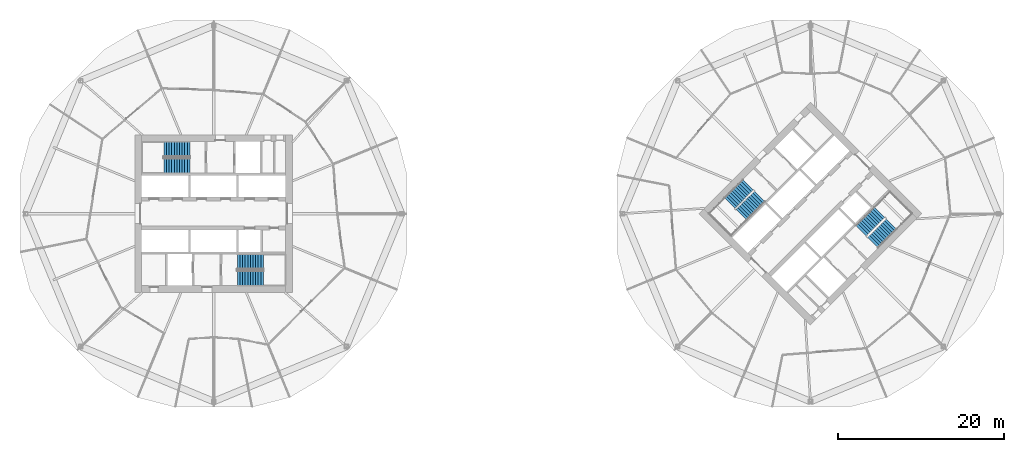
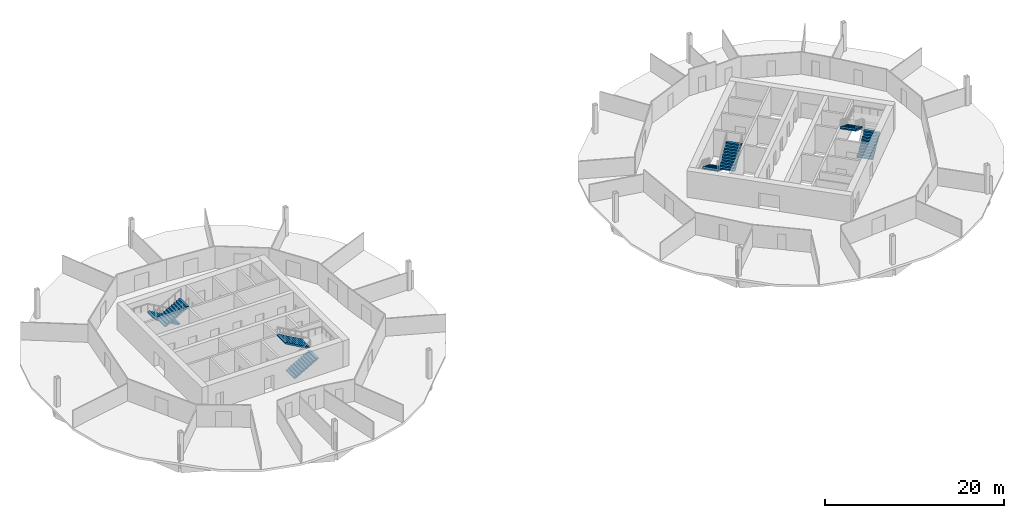
# One storey, part 8 of 9: 8 stair flights, 4 elements without a shape of their own.
"""IFC4 building model written with IfcOpenShell, lengths in metres."""

from ifc_helpers import new_model, si_unit, direction, frame, origin, place, context, subcontext, project, spatial, polyline, outline, extrude, material, type_object, element, aggregate, save


model = new_model("IFC4")

# Units and contexts
model_context = context("Model", 3, precision=1e-05, world=origin(), true_north=direction((0.0, 1.0)))
body_context = subcontext(model_context, "Body", "Model", "MODEL_VIEW")
ifc_project = project(units=[si_unit("LENGTHUNIT", "METRE"), si_unit("AREAUNIT", "SQUARE_METRE"), si_unit("VOLUMEUNIT", "CUBIC_METRE"), si_unit("PLANEANGLEUNIT", "RADIAN"), si_unit("MASSUNIT", "GRAM", prefix="KILO")], contexts=[model_context])

# Site, building, storey
site_placement = place(None, origin())
site = spatial("IfcSite", under=ifc_project, at=site_placement, CompositionType="ELEMENT")
building_placement = place(site_placement, origin())
building = spatial("IfcBuilding", under=site, at=building_placement, Name="Ogive Gate Towers", CompositionType="ELEMENT")
storey_placement = place(building_placement, frame((0.0, 0.0, 84.0)))
storey = spatial("IfcBuildingStorey", under=building, at=storey_placement, Name="L19", CompositionType="ELEMENT", Elevation=84.0)

# Stair, stair flights
ifc_material = material(Name="Concrete C40/50", Category="concrete")
stair_type = type_object("IfcStairType", Name="Escape stair 1840 wide", PredefinedType="HALF_TURN_STAIR", material=ifc_material)
stair_1_placement = place(storey_placement, origin())
stair_1 = element("IfcStair", 1, at=stair_1_placement, inside=storey, type_object=stair_type, Name="L19 Escape stair 1", PredefinedType="HALF_TURN_STAIR")
stair_flight_type = type_object("IfcStairFlightType", Name="Stair flight 1840 wide", PredefinedType="STRAIGHT", material=ifc_material)
stair_flight_1_placement = place(storey_placement, frame((-38.864990234375, 7.780029296875, 0.0), z_axis=(0.0, 0.0, 1.0), x_axis=(-1.0, 0.0, 0.0)))
stair_flight_1 = element("IfcStairFlight", 2, at=stair_flight_1_placement, type_object=stair_flight_type, Name="ST1 flight 1", NumberOfRisers=11, NumberOfTreads=10, PredefinedType="STRAIGHT", RiserHeight=0.177272727, TreadLength=0.313636364, context=body_context, shape_type="SweptSolid", body=[
    extrude(outline(polyline([(0.0, 0.0), (0.0, 0.17724609375), (0.313720703125, 0.17724609375), (0.313720703125, 0.3544921875), (0.627197265625, 0.3544921875), (0.627197265625, 0.53173828125), (0.94091796875, 0.53173828125), (0.94091796875, 0.708984375), (1.254638671875, 0.708984375), (1.254638671875, 0.886474609375), (1.568115234375, 0.886474609375), (1.568115234375, 1.063720703125), (1.8818359375, 1.063720703125), (1.8818359375, 1.240966796875), (2.195556640625, 1.240966796875), (2.195556640625, 1.418212890625), (2.509033203125, 1.418212890625), (2.509033203125, 1.595458984375), (2.82275390625, 1.595458984375), (2.82275390625, 1.772705078125), (3.136474609375, 1.772705078125), (3.136474609375, 1.949951171875), (3.136474609375, 1.6005859375), (0.3046875, 0.0), (0.0, 0.0)])), frame((0.0, 0.919921875, 0.0), z_axis=(0.0, -1.0, 0.0), x_axis=(1.0, 0.0, 0.0)), (0.0, 0.0, 1.0), 1.840087890625),
])
stair_flight_2_placement = place(storey_placement, frame((-42.00146484375, 5.794921875, 1.949951171875), z_axis=(0.0, 0.0, 1.0), x_axis=(1.0, 0.0, 0.0)))
stair_flight_2 = element("IfcStairFlight", 3, at=stair_flight_2_placement, type_object=stair_flight_type, Name="ST1 flight 2", NumberOfRisers=11, NumberOfTreads=10, PredefinedType="STRAIGHT", RiserHeight=0.177272727, TreadLength=0.313636364, context=body_context, shape_type="SweptSolid", body=[
    extrude(outline(polyline([(0.0, 0.0), (0.0, 0.17724609375), (0.313720703125, 0.17724609375), (0.313720703125, 0.3544921875), (0.627197265625, 0.3544921875), (0.627197265625, 0.53173828125), (0.94091796875, 0.53173828125), (0.94091796875, 0.708984375), (1.254638671875, 0.708984375), (1.254638671875, 0.886474609375), (1.568115234375, 0.886474609375), (1.568115234375, 1.063720703125), (1.8818359375, 1.063720703125), (1.8818359375, 1.240966796875), (2.195556640625, 1.240966796875), (2.195556640625, 1.418212890625), (2.509033203125, 1.418212890625), (2.509033203125, 1.595458984375), (2.82275390625, 1.595458984375), (2.82275390625, 1.772705078125), (3.136474609375, 1.772705078125), (3.136474609375, 1.949951171875), (3.136474609375, 1.6005859375), (0.3046875, 0.0), (0.0, 0.0)])), frame((0.0, 0.919921875, 0.0), z_axis=(0.0, -1.0, 0.0), x_axis=(1.0, 0.0, 0.0)), (0.0, 0.0, 1.0), 1.840087890625),
])
aggregate(stair_1, [stair_flight_1, stair_flight_2])

stair_2_placement = place(storey_placement, origin())
stair_2 = element("IfcStair", 4, at=stair_2_placement, inside=storey, type_object=stair_type, Name="L19 Escape stair 2", PredefinedType="HALF_TURN_STAIR")
stair_flight_3_placement = place(storey_placement, frame((-33.135009765625, -7.780029296875, 0.0), z_axis=(0.0, 0.0, 1.0), x_axis=(1.0, 0.0, 0.0)))
stair_flight_3 = element("IfcStairFlight", 5, at=stair_flight_3_placement, type_object=stair_flight_type, Name="ST2 flight 1", NumberOfRisers=11, NumberOfTreads=10, PredefinedType="STRAIGHT", RiserHeight=0.177272727, TreadLength=0.313636364, context=body_context, shape_type="SweptSolid", body=[
    extrude(outline(polyline([(0.0, 0.0), (0.0, 0.17724609375), (0.313720703125, 0.17724609375), (0.313720703125, 0.3544921875), (0.627197265625, 0.3544921875), (0.627197265625, 0.53173828125), (0.94091796875, 0.53173828125), (0.94091796875, 0.708984375), (1.254638671875, 0.708984375), (1.254638671875, 0.886474609375), (1.568115234375, 0.886474609375), (1.568115234375, 1.063720703125), (1.8818359375, 1.063720703125), (1.8818359375, 1.240966796875), (2.195556640625, 1.240966796875), (2.195556640625, 1.418212890625), (2.509033203125, 1.418212890625), (2.509033203125, 1.595458984375), (2.82275390625, 1.595458984375), (2.82275390625, 1.772705078125), (3.136474609375, 1.772705078125), (3.136474609375, 1.949951171875), (3.136474609375, 1.6005859375), (0.3046875, 0.0), (0.0, 0.0)])), frame((0.0, 0.919921875, 0.0), z_axis=(0.0, -1.0, 0.0), x_axis=(1.0, 0.0, 0.0)), (0.0, 0.0, 1.0), 1.840087890625),
])
stair_flight_4_placement = place(storey_placement, frame((-29.99853515625, -5.794921875, 1.949951171875), z_axis=(0.0, 0.0, 1.0), x_axis=(-1.0, 0.0, 0.0)))
stair_flight_4 = element("IfcStairFlight", 6, at=stair_flight_4_placement, type_object=stair_flight_type, Name="ST2 flight 2", NumberOfRisers=11, NumberOfTreads=10, PredefinedType="STRAIGHT", RiserHeight=0.177272727, TreadLength=0.313636364, context=body_context, shape_type="SweptSolid", body=[
    extrude(outline(polyline([(0.0, 0.0), (0.0, 0.17724609375), (0.313720703125, 0.17724609375), (0.313720703125, 0.3544921875), (0.627197265625, 0.3544921875), (0.627197265625, 0.53173828125), (0.94091796875, 0.53173828125), (0.94091796875, 0.708984375), (1.254638671875, 0.708984375), (1.254638671875, 0.886474609375), (1.568115234375, 0.886474609375), (1.568115234375, 1.063720703125), (1.8818359375, 1.063720703125), (1.8818359375, 1.240966796875), (2.195556640625, 1.240966796875), (2.195556640625, 1.418212890625), (2.509033203125, 1.418212890625), (2.509033203125, 1.595458984375), (2.82275390625, 1.595458984375), (2.82275390625, 1.772705078125), (3.136474609375, 1.772705078125), (3.136474609375, 1.949951171875), (3.136474609375, 1.6005859375), (0.3046875, 0.0), (0.0, 0.0)])), frame((0.0, 0.919921875, 0.0), z_axis=(0.0, -1.0, 0.0), x_axis=(1.0, 0.0, 0.0)), (0.0, 0.0, 1.0), 1.840087890625),
])
aggregate(stair_2, [stair_flight_3, stair_flight_4])

stair_3_placement = place(storey_placement, origin())
stair_3 = element("IfcStair", 7, at=stair_3_placement, inside=storey, type_object=stair_type, Name="L19 Escape stair 1", PredefinedType="HALF_TURN_STAIR")
stair_flight_5_placement = place(storey_placement, frame((28.472900390625, 3.475341796875, 0.0), z_axis=(0.0, 0.0, 1.0), x_axis=(-0.707106781187, -0.707106781187, 0.0)))
stair_flight_5 = element("IfcStairFlight", 8, at=stair_flight_5_placement, type_object=stair_flight_type, Name="ST1 flight 1", NumberOfRisers=11, NumberOfTreads=10, PredefinedType="STRAIGHT", RiserHeight=0.177272727, TreadLength=0.313636364, context=body_context, shape_type="SweptSolid", body=[
    extrude(outline(polyline([(0.0, 0.0), (0.0, 0.17724609375), (0.313720703125, 0.17724609375), (0.313720703125, 0.3544921875), (0.627197265625, 0.3544921875), (0.627197265625, 0.53173828125), (0.94091796875, 0.53173828125), (0.94091796875, 0.708984375), (1.254638671875, 0.708984375), (1.254638671875, 0.886474609375), (1.568115234375, 0.886474609375), (1.568115234375, 1.063720703125), (1.8818359375, 1.063720703125), (1.8818359375, 1.240966796875), (2.195556640625, 1.240966796875), (2.195556640625, 1.418212890625), (2.509033203125, 1.418212890625), (2.509033203125, 1.595458984375), (2.82275390625, 1.595458984375), (2.82275390625, 1.772705078125), (3.136474609375, 1.772705078125), (3.136474609375, 1.949951171875), (3.136474609375, 1.6005859375), (0.3046875, 0.0), (0.0, 0.0)])), frame((0.0, 0.919921875, 0.0), z_axis=(0.0, -1.0, 0.0), x_axis=(1.0, 0.0, 0.0)), (0.0, 0.0, 1.0), 1.840087890625),
])
stair_flight_6_placement = place(storey_placement, frame((27.65869140625, -0.14599609375, 1.949951171875), z_axis=(0.0, 0.0, 1.0), x_axis=(0.707106781187, 0.707106781187, 0.0)))
stair_flight_6 = element("IfcStairFlight", 9, at=stair_flight_6_placement, type_object=stair_flight_type, Name="ST1 flight 2", NumberOfRisers=11, NumberOfTreads=10, PredefinedType="STRAIGHT", RiserHeight=0.177272727, TreadLength=0.313636364, context=body_context, shape_type="SweptSolid", body=[
    extrude(outline(polyline([(0.0, 0.0), (0.0, 0.17724609375), (0.313720703125, 0.17724609375), (0.313720703125, 0.3544921875), (0.627197265625, 0.3544921875), (0.627197265625, 0.53173828125), (0.94091796875, 0.53173828125), (0.94091796875, 0.708984375), (1.254638671875, 0.708984375), (1.254638671875, 0.886474609375), (1.568115234375, 0.886474609375), (1.568115234375, 1.063720703125), (1.8818359375, 1.063720703125), (1.8818359375, 1.240966796875), (2.195556640625, 1.240966796875), (2.195556640625, 1.418212890625), (2.509033203125, 1.418212890625), (2.509033203125, 1.595458984375), (2.82275390625, 1.595458984375), (2.82275390625, 1.772705078125), (3.136474609375, 1.772705078125), (3.136474609375, 1.949951171875), (3.136474609375, 1.6005859375), (0.3046875, 0.0), (0.0, 0.0)])), frame((0.0, 0.919921875, 0.0), z_axis=(0.0, -1.0, 0.0), x_axis=(1.0, 0.0, 0.0)), (0.0, 0.0, 1.0), 1.840087890625),
])
aggregate(stair_3, [stair_flight_5, stair_flight_6])

stair_4_placement = place(storey_placement, origin())
stair_4 = element("IfcStair", 10, at=stair_4_placement, inside=storey, type_object=stair_type, Name="L19 Escape stair 2", PredefinedType="HALF_TURN_STAIR")
stair_flight_7_placement = place(storey_placement, frame((43.527099609375, -3.475341796875, 0.0), z_axis=(0.0, 0.0, 1.0), x_axis=(0.707106781187, 0.707106781187, 0.0)))
stair_flight_7 = element("IfcStairFlight", 11, at=stair_flight_7_placement, type_object=stair_flight_type, Name="ST2 flight 1", NumberOfRisers=11, NumberOfTreads=10, PredefinedType="STRAIGHT", RiserHeight=0.177272727, TreadLength=0.313636364, context=body_context, shape_type="SweptSolid", body=[
    extrude(outline(polyline([(0.0, 0.0), (0.0, 0.17724609375), (0.313720703125, 0.17724609375), (0.313720703125, 0.3544921875), (0.627197265625, 0.3544921875), (0.627197265625, 0.53173828125), (0.94091796875, 0.53173828125), (0.94091796875, 0.708984375), (1.254638671875, 0.708984375), (1.254638671875, 0.886474609375), (1.568115234375, 0.886474609375), (1.568115234375, 1.063720703125), (1.8818359375, 1.063720703125), (1.8818359375, 1.240966796875), (2.195556640625, 1.240966796875), (2.195556640625, 1.418212890625), (2.509033203125, 1.418212890625), (2.509033203125, 1.595458984375), (2.82275390625, 1.595458984375), (2.82275390625, 1.772705078125), (3.136474609375, 1.772705078125), (3.136474609375, 1.949951171875), (3.136474609375, 1.6005859375), (0.3046875, 0.0), (0.0, 0.0)])), frame((0.0, 0.919921875, 0.0), z_axis=(0.0, -1.0, 0.0), x_axis=(1.0, 0.0, 0.0)), (0.0, 0.0, 1.0), 1.840087890625),
])
stair_flight_8_placement = place(storey_placement, frame((44.34130859375, 0.14599609375, 1.949951171875), z_axis=(0.0, 0.0, 1.0), x_axis=(-0.707106781187, -0.707106781187, 0.0)))
stair_flight_8 = element("IfcStairFlight", 12, at=stair_flight_8_placement, type_object=stair_flight_type, Name="ST2 flight 2", NumberOfRisers=11, NumberOfTreads=10, PredefinedType="STRAIGHT", RiserHeight=0.177272727, TreadLength=0.313636364, context=body_context, shape_type="SweptSolid", body=[
    extrude(outline(polyline([(0.0, 0.0), (0.0, 0.17724609375), (0.313720703125, 0.17724609375), (0.313720703125, 0.3544921875), (0.627197265625, 0.3544921875), (0.627197265625, 0.53173828125), (0.94091796875, 0.53173828125), (0.94091796875, 0.708984375), (1.254638671875, 0.708984375), (1.254638671875, 0.886474609375), (1.568115234375, 0.886474609375), (1.568115234375, 1.063720703125), (1.8818359375, 1.063720703125), (1.8818359375, 1.240966796875), (2.195556640625, 1.240966796875), (2.195556640625, 1.418212890625), (2.509033203125, 1.418212890625), (2.509033203125, 1.595458984375), (2.82275390625, 1.595458984375), (2.82275390625, 1.772705078125), (3.136474609375, 1.772705078125), (3.136474609375, 1.949951171875), (3.136474609375, 1.6005859375), (0.3046875, 0.0), (0.0, 0.0)])), frame((0.0, 0.919921875, 0.0), z_axis=(0.0, -1.0, 0.0), x_axis=(1.0, 0.0, 0.0)), (0.0, 0.0, 1.0), 1.840087890625),
])
aggregate(stair_4, [stair_flight_7, stair_flight_8])

save(model, "model.ifc")
